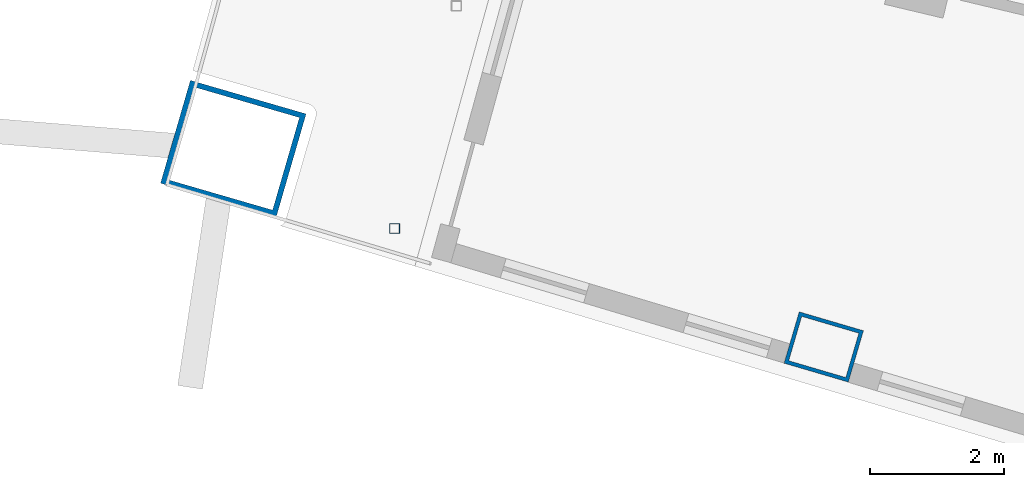
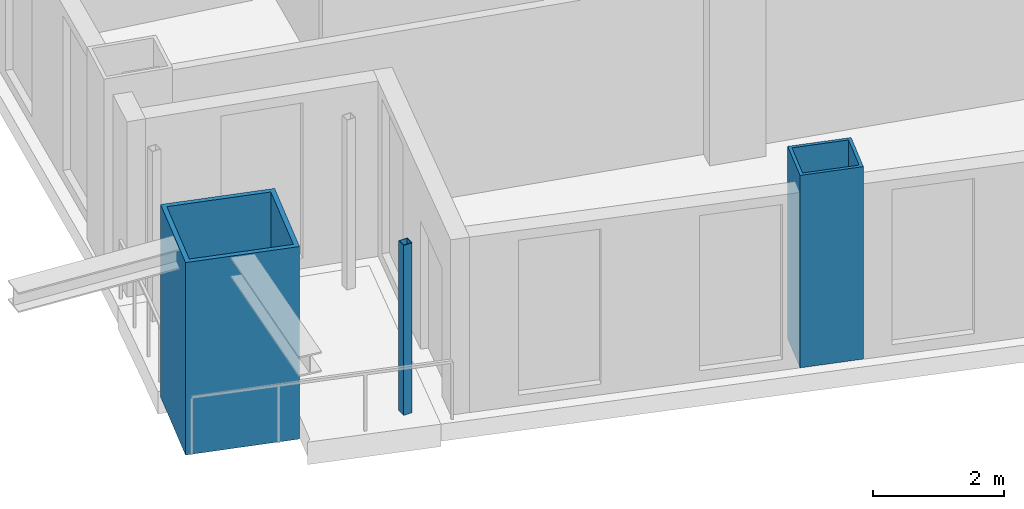
# One storey, part 1 of 20: 3 columns.
"""IFC4 building model written with IfcOpenShell, lengths in metres."""

from ifc_helpers import new_model, si_unit, direction, frame, origin, origin_2d, place, context, subcontext, project, spatial, hollow_rectangle, extrude, material, material_profile, profile_set, type_object, element, save


model = new_model("IFC4")

# Units and contexts
model_context = context("Model", 3, precision=1e-05, world=origin(), true_north=direction((0.0, 1.0)))
body_context = subcontext(model_context, "Body", "Model", "MODEL_VIEW")
ifc_project = project(units=[si_unit("LENGTHUNIT", "METRE"), si_unit("AREAUNIT", "SQUARE_METRE"), si_unit("VOLUMEUNIT", "CUBIC_METRE"), si_unit("PLANEANGLEUNIT", "RADIAN"), si_unit("MASSUNIT", "GRAM", prefix="KILO")], contexts=[model_context])

# Site, building, storey
site_placement = place(None, origin())
site = spatial("IfcSite", under=ifc_project, at=site_placement, CompositionType="ELEMENT")
building_placement = place(site_placement, origin())
building = spatial("IfcBuilding", under=site, at=building_placement, Name="Alderwake Tower", CompositionType="ELEMENT")
storey_placement = place(building_placement, frame((0.0, 0.0, 178.39990234375)))
storey = spatial("IfcBuildingStorey", under=building, at=storey_placement, Name="L44", CompositionType="ELEMENT", Elevation=178.39990234375)

# Columns
ifc_material_1 = material(Name="Steel ASTM A572 Grade 50 concrete filled C70/85", Category="concrete")
ifc_material_profile_1 = material_profile(ifc_material_1, hollow_rectangle(XDim=0.800048828125, YDim=1.0, WallThickness=0.054931640625, at=origin_2d()), Name="BOX 1000X800X55")
ifc_profile_set_1 = profile_set([ifc_material_profile_1], Name="Steel ASTM A572 Grade 50 concrete filled C70/85")
column_type_1 = type_object("IfcColumnType", Name="End column Z3", PredefinedType="COLUMN", material=ifc_profile_set_1)
column_1_placement = place(storey_placement, frame((21.885498046875, 31.03759765625, 0.0), z_axis=(0.0, 0.0, 1.0), x_axis=(0.282132160283, 0.95937554906, 0.0)))
element("IfcColumn", 1, at=column_1_placement, inside=storey, type_object=column_type_1, Name="Column R02-C1", PredefinedType="COLUMN", context=body_context, shape_type="SweptSolid", body=[
    extrude(hollow_rectangle(XDim=0.800048828125, YDim=1.0, WallThickness=0.054931640625, at=origin_2d()), origin(), (0.0, 0.0, 1.0), 3.60009765625),
])
ifc_material_2 = material(Name="Steel ASTM A500 Grade C", Category="steel")
ifc_material_profile_2 = material_profile(ifc_material_2, hollow_rectangle(XDim=0.15234375, YDim=0.15234375, WallThickness=0.0087890625, at=origin_2d()), Name="HSS6X6X3/8")
ifc_profile_set_2 = profile_set([ifc_material_profile_2], Name="Steel ASTM A500 Grade C")
column_type_2 = type_object("IfcColumnType", Name="Light post HSS6X6X3/8", PredefinedType="COLUMN", material=ifc_profile_set_2)
column_2_placement = place(storey_placement, frame((15.47412109375, 32.805908203125, 0.0), z_axis=(0.0, 0.0, 1.0), x_axis=(1.0, 0.0, 0.0)))
element("IfcColumn", 2, at=column_2_placement, inside=storey, type_object=column_type_2, Name="Terrace post RS2", PredefinedType="COLUMN", context=body_context, shape_type="SweptSolid", body=[
    extrude(hollow_rectangle(XDim=0.15234375, YDim=0.15234375, WallThickness=0.0087890625, at=origin_2d()), origin(), (0.0, 0.0, 1.0), 3.18017578125),
])
ifc_material_3 = material(Name="Steel ASTM A572 Grade 50 concrete filled C70/85", Category="concrete")
ifc_material_profile_3 = material_profile(ifc_material_3, hollow_rectangle(XDim=1.60009765625, YDim=1.800048828125, WallThickness=0.080078125, at=origin_2d()), Name="BOX 1800X1600X80")
ifc_profile_set_3 = profile_set([ifc_material_profile_3], Name="Steel ASTM A572 Grade 50 concrete filled C70/85")
column_type_3 = type_object("IfcColumnType", Name="Mega column Z3", PredefinedType="COLUMN", material=ifc_profile_set_3)
column_3_placement = place(storey_placement, frame((13.06298828125, 34.00244140625, 0.0), z_axis=(0.0, 0.0, 1.0), x_axis=(0.278612301868, 0.960403657452, 0.0)))
element("IfcColumn", 3, at=column_3_placement, inside=storey, type_object=column_type_3, Name="Column R02-C0", PredefinedType="COLUMN", context=body_context, shape_type="SweptSolid", body=[
    extrude(hollow_rectangle(XDim=1.60009765625, YDim=1.800048828125, WallThickness=0.080078125, at=origin_2d()), origin(), (0.0, 0.0, 1.0), 3.60009765625),
])

save(model, "model.ifc")
